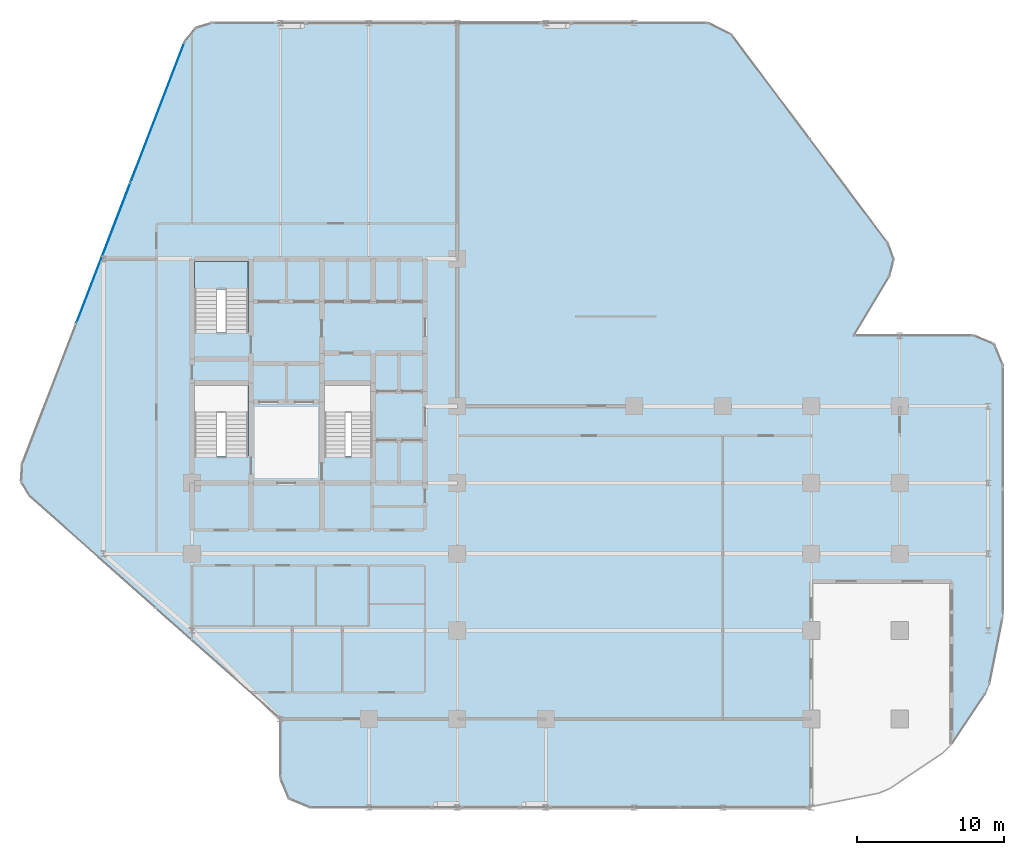
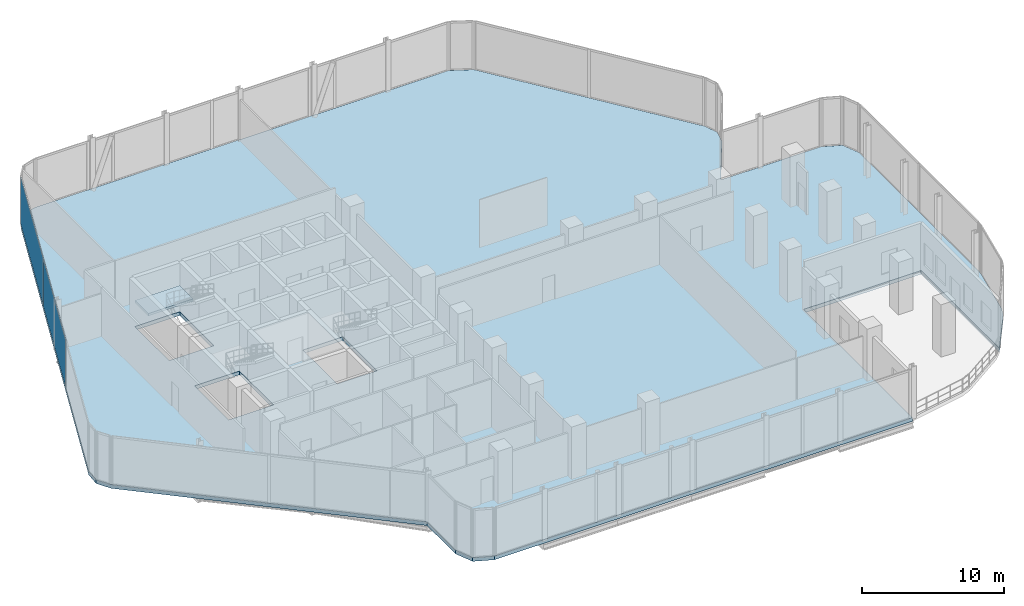
# One storey, part 23 of 30: 2 plates, 2 slabs, 2 elements without a shape of their own.
"""IFC4 building model written with IfcOpenShell, lengths in metres."""

from ifc_helpers import new_model, si_unit, direction, frame, origin, origin_2d, place, context, subcontext, project, spatial, polyline, rectangle, outline, extrude, material, layer, layer_set, type_object, element, aggregate, save


model = new_model("IFC4")

# Units and contexts
model_context = context("Model", 3, precision=1e-05, world=origin(), true_north=direction((0.0, 1.0)))
body_context = subcontext(model_context, "Body", "Model", "MODEL_VIEW")
ifc_project = project(units=[si_unit("LENGTHUNIT", "METRE"), si_unit("AREAUNIT", "SQUARE_METRE"), si_unit("VOLUMEUNIT", "CUBIC_METRE"), si_unit("PLANEANGLEUNIT", "RADIAN"), si_unit("MASSUNIT", "GRAM", prefix="KILO")], contexts=[model_context])

# Site, building, storey
site_placement = place(None, origin())
site = spatial("IfcSite", under=ifc_project, at=site_placement, CompositionType="ELEMENT")
building_placement = place(site_placement, origin())
building = spatial("IfcBuilding", under=site, at=building_placement, Name="Keshet Zoharim Tower", CompositionType="ELEMENT")
storey_placement = place(building_placement, frame((0.0, 0.0, 65.60009765625)))
storey = spatial("IfcBuildingStorey", under=building, at=storey_placement, Name="L15", CompositionType="ELEMENT", Elevation=65.60009765625)

# Curtain wall, plates
ifc_material_1 = material(Name="Aluminium 6063-T6", Category="aluminium")
ifc_layer_1 = layer(ifc_material_1, 0.179931640625)
ifc_layer_set_1 = layer_set([ifc_layer_1], Name="Aluminium 6063-T6")
curtain_wall_type = type_object("IfcCurtainWallType", Name="CW-SYS-01", PredefinedType="NOTDEFINED", material=ifc_layer_set_1)
curtain_wall_placement = place(storey_placement, origin())
curtain_wall = element("IfcCurtainWall", 1, at=curtain_wall_placement, inside=storey, type_object=curtain_wall_type, Name="L15 Unitised Curtain Wall 01", PredefinedType="NOTDEFINED")
ifc_material_2 = material(Name="Insulated Low-E Clear Glass", Category="glass")
ifc_layer_2 = layer(ifc_material_2, 0.035888671875)
ifc_layer_set_2 = layer_set([ifc_layer_2], Name="Insulated Low-E Clear Glass")
plate_type = type_object("IfcPlateType", Name="CWP-01", PredefinedType="CURTAIN_PANEL", material=ifc_layer_set_2)
plate_1_placement = place(storey_placement, frame((9.001953125, 38.305419921875, 0.06982421875), z_axis=(0.0, 0.0, 1.0), x_axis=(0.358990003907, 0.933341404361, 0.0)))
plate_1 = element("IfcPlate", 2, at=plate_1_placement, type_object=plate_type, Name="CW-01 panel 2.1", PredefinedType="CURTAIN_PANEL", context=body_context, shape_type="SweptSolid", body=[
    extrude(rectangle(XDim=10.153076171875, YDim=0.035888671875, at=origin_2d()), origin(), (0.0, 0.0, 1.0), 4.044921875),
])
plate_2_placement = place(storey_placement, frame((12.665771484375, 47.830810546875, 0.06982421875), z_axis=(0.0, 0.0, 1.0), x_axis=(0.358990003907, 0.933341404361, 0.0)))
plate_2 = element("IfcPlate", 3, at=plate_2_placement, type_object=plate_type, Name="CW-01 panel 3.1", PredefinedType="CURTAIN_PANEL", context=body_context, shape_type="SweptSolid", body=[
    extrude(rectangle(XDim=10.1181640625, YDim=0.035888671875, at=origin_2d()), origin(), (0.0, 0.0, 1.0), 4.044921875),
])
aggregate(curtain_wall, [plate_1, plate_2])

# Slab
ifc_material_3 = material(Name="Concrete C50/60", Category="concrete")
ifc_layer_3 = layer(ifc_material_3, 0.320068359375)
ifc_layer_set_3 = layer_set([ifc_layer_3], Name="Concrete C50/60")
slab_type_1 = type_object("IfcSlabType", Name="SLB-COM-320", PredefinedType="FLOOR", material=ifc_layer_set_3)
slab_1_placement = place(storey_placement, frame((0.0, 0.0, -0.320068359375)))
element("IfcSlab", 4, at=slab_1_placement, inside=storey, type_object=slab_type_1, Name="L15 Structural Floor Slab 1", PredefinedType="FLOOR", context=body_context, shape_type="SweptSolid", body=[
    extrude(outline(polyline([(3.4970703125, 23.992919921875), (14.507080078125, 52.617919921875), (15.240966796875, 53.549072265625), (16.3740234375, 53.89990234375), (50.0, 53.89990234375), (51.60009765625, 53.10009765625), (62.193115234375, 38.97607421875), (62.590087890625, 37.87890625), (62.30810546875, 36.7470703125), (59.8798828125, 32.699951171875), (68.0, 32.699951171875), (69.4140625, 32.114013671875), (70.0, 30.699951171875), (70.0, 13.89697265625), (69.9619140625, 13.507080078125), (69.087890625, 9.114990234375), (68.888916015625, 8.634033203125), (68.7890625, 8.39404296875), (66.52001953125, 4.998046875), (66.52001953125, 16.02001953125), (56.97998046875, 16.02001953125), (56.97998046875, 0.717041015625), (56.802978515625, 0.699951171875), (23.0, 0.699951171875), (21.5859375, 1.285888671875), (21.0, 2.699951171875), (21.0, 6.699951171875), (4.034912109375, 21.780029296875), (3.419921875, 22.802001953125), (3.4970703125, 23.992919921875)]), holes=[polyline([(15.179931640625, 24.52001953125), (18.820068359375, 24.52001953125), (18.820068359375, 29.320068359375), (15.179931640625, 29.320068359375), (15.179931640625, 24.52001953125)]), polyline([(15.179931640625, 32.919921875), (18.820068359375, 32.919921875), (18.820068359375, 37.719970703125), (15.179931640625, 37.719970703125), (15.179931640625, 32.919921875)]), polyline([(23.97998046875, 24.52001953125), (27.219970703125, 24.52001953125), (27.219970703125, 29.320068359375), (23.97998046875, 29.320068359375), (23.97998046875, 24.52001953125)])]), origin(), (0.0, 0.0, 1.0), 0.320068359375),
])

# Stair, slab
stair_type = type_object("IfcStairType", Name="STR-EXIT-135", PredefinedType="HALF_TURN_STAIR", material=ifc_material_3)
stair_placement = place(storey_placement, origin())
stair = element("IfcStair", 5, at=stair_placement, inside=storey, type_object=stair_type, Name="L15 Enclosed Exit Stair ST-02", PredefinedType="HALF_TURN_STAIR")
ifc_layer_4 = layer(ifc_material_3, 0.199951171875)
ifc_layer_set_4 = layer_set([ifc_layer_4], Name="Concrete C50/60")
slab_type_2 = type_object("IfcSlabType", Name="SLB-LND-200", PredefinedType="LANDING", material=ifc_layer_set_4)
slab_2_placement = place(storey_placement, frame((0.0, 0.0, 2.0498046875)))
slab_2 = element("IfcSlab", 6, at=slab_2_placement, type_object=slab_type_2, Name="ST-02 landing 1", PredefinedType="LANDING", context=body_context, shape_type="SweptSolid", body=[
    extrude(outline(polyline([(15.179931640625, 35.840087890625), (18.820068359375, 35.840087890625), (18.820068359375, 37.719970703125), (15.179931640625, 37.719970703125), (15.179931640625, 35.840087890625)])), origin(), (0.0, 0.0, 1.0), 0.2001953125),
])
aggregate(stair, [slab_2])

save(model, "model.ifc")
